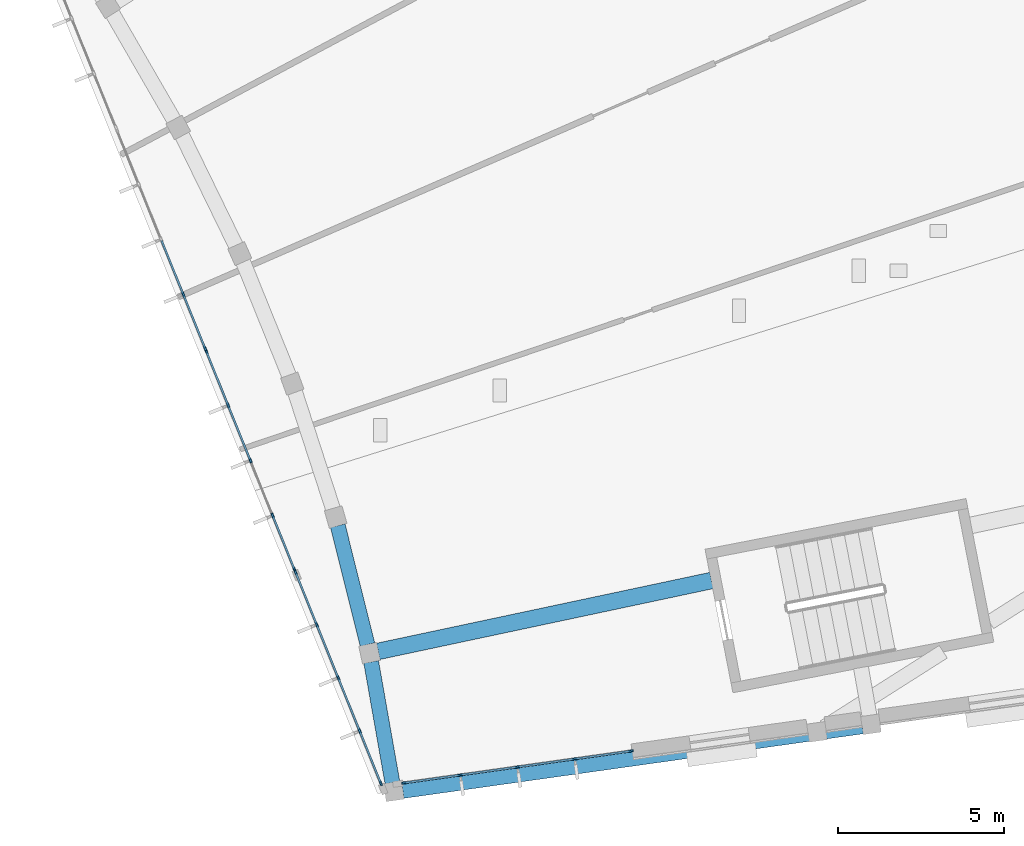
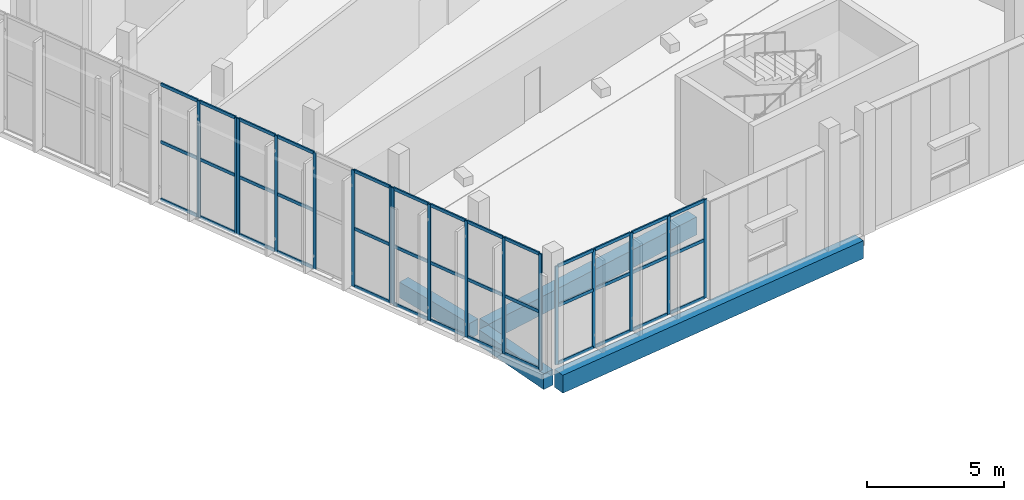
# One storey, part 17 of 87: 56 members, 4 beams, 4 elements without a shape of their own.
"""IFC4 building model written with IfcOpenShell, lengths in metres."""

import ifcopenshell
import ifcopenshell.guid

model = None  # the IFC model being written
_history = None  # IfcOwnerHistory: only IFC2X3 demands one
_inside = {}  # id of a spatial element -> (the spatial element, [elements in it])
_under = {}  # id of a project, library or spatial element -> (it, [spatial elements below it])
_declared = {}  # id of a project -> (the project, [libraries it declares])
_typed = {}  # id of a type object -> (the type object, [elements of that type])
_made_of = {}  # id of a material, layer set ... -> (it, [elements and type objects made of it])


def new_model(schema):
    """Start an empty IFC model of exactly this schema.

    Asked for "IFC4X3", IfcOpenShell would pick the latest addendum, in which some entities
    have other attributes; the version numbers below select the first issue.
    IFC2X3 requires an IfcOwnerHistory on every rooted entity: one is made here for all.
    """
    global model, _history
    if schema == "IFC4X3":
        model = ifcopenshell.file(schema_version=(4, 3, 0, 0))
    else:
        model = ifcopenshell.file(schema=schema)
    _inside.clear()
    _under.clear()
    _declared.clear()
    _typed.clear()
    _made_of.clear()
    _history = None
    if model.schema == "IFC2X3":
        org = make("IfcOrganization", Name="unknown")
        user = make(
            "IfcPersonAndOrganization",
            ThePerson=make("IfcPerson", FamilyName="unknown"),
            TheOrganization=org,
        )
        app = make(
            "IfcApplication",
            ApplicationDeveloper=org,
            Version="unknown",
            ApplicationFullName="unknown",
            ApplicationIdentifier="unknown",
        )
        _history = make(
            "IfcOwnerHistory",
            OwningUser=user,
            OwningApplication=app,
            ChangeAction="ADDED",
            CreationDate=0,
        )
    return model


def make(cls, **values):
    """One entity of the class cls with the attributes given. An attribute that is None is left unset."""
    return model.create_entity(
        cls, **{name: value for name, value in values.items() if value is not None}
    )


def rooted(cls, **values):
    """An entity with a GlobalId (a new one), such as an element, a storey or a relation."""
    return make(cls, GlobalId=ifcopenshell.guid.new(), OwnerHistory=_history, **values)


def si_unit(unit_type, name, prefix=None):
    """IfcSIUnit, for example si_unit("LENGTHUNIT", "METRE", prefix="MILLI")."""
    return make("IfcSIUnit", UnitType=unit_type, Prefix=prefix, Name=name)


def assignment(units):
    """IfcUnitAssignment: the units of a project."""
    return None if units is None else make("IfcUnitAssignment", Units=units)


def point(xyz):
    """IfcCartesianPoint."""
    return None if xyz is None else make("IfcCartesianPoint", Coordinates=xyz)


def direction(xyz):
    """IfcDirection."""
    return None if xyz is None else make("IfcDirection", DirectionRatios=xyz)


def frame(location, z_axis=None, x_axis=None):
    """IfcAxis2Placement3D, a coordinate frame: its origin and axes. An axis left out is left unset."""
    return make(
        "IfcAxis2Placement3D",
        Location=point(location),
        Axis=direction(z_axis),
        RefDirection=direction(x_axis),
    )


def frame_2d(location, x_axis=None):
    """IfcAxis2Placement2D, a coordinate frame in the plane: its origin and x axis."""
    return make(
        "IfcAxis2Placement2D", Location=point(location), RefDirection=direction(x_axis)
    )


def origin():
    """The frame at (0, 0, 0) with its axes left unset."""
    return frame((0.0, 0.0, 0.0))


def origin_2d():
    """The frame at (0, 0) in the plane with its x axis left unset."""
    return frame_2d((0.0, 0.0))


def place(relative_to, where):
    """IfcLocalPlacement: puts the frame where relative to a parent placement (None: the world)."""
    return make(
        "IfcLocalPlacement", PlacementRelTo=relative_to, RelativePlacement=where
    )


def context(
    kind, dimensions, precision=None, world=None, true_north=None, identifier=None
):
    """IfcGeometricRepresentationContext, for example the 3D "Model" context."""
    return make(
        "IfcGeometricRepresentationContext",
        ContextIdentifier=identifier,
        ContextType=kind,
        CoordinateSpaceDimension=dimensions,
        Precision=precision,
        WorldCoordinateSystem=world,
        TrueNorth=true_north,
    )


def subcontext(parent, identifier, kind, view, scale=None):
    """IfcGeometricRepresentationSubContext, for example "Body" below "Model"."""
    return make(
        "IfcGeometricRepresentationSubContext",
        ContextIdentifier=identifier,
        ContextType=kind,
        ParentContext=parent,
        TargetScale=scale,
        TargetView=view,
    )


def project(units=None, contexts=None):
    """IfcProject with its units and contexts."""
    return rooted(
        "IfcProject",
        Name="project",
        RepresentationContexts=contexts,
        UnitsInContext=assignment(units),
    )


def spatial(cls, under=None, at=None, **own):
    """A site, building, storey or space (cls), placed at a placement, below another one or the project."""
    s = rooted(cls, ObjectPlacement=at, **own)
    if under is not None:
        _under.setdefault(under.id(), (under, []))[1].append(s)
    return s


def profile(cls, at=None, kind="AREA", **sizes):
    """A parametric profile (cls). Its sizes go by their IFC names, for example OverallWidth=200.0."""
    return make(cls, ProfileType=kind, Position=at, **sizes)


def rectangle(**sizes):
    """IfcRectangleProfileDef."""
    return profile("IfcRectangleProfileDef", **sizes)


def extrude(swept, where, along, depth):
    """IfcExtrudedAreaSolid: the profile swept, set in the frame where, extruded along a direction by depth."""
    return make(
        "IfcExtrudedAreaSolid",
        SweptArea=swept,
        Position=where,
        ExtrudedDirection=direction(along),
        Depth=depth,
    )


def shape(context_of_items, identifier, shape_type, items):
    """IfcShapeRepresentation: the items that make up one representation, for example the "Body"."""
    return make(
        "IfcShapeRepresentation",
        ContextOfItems=context_of_items,
        RepresentationIdentifier=identifier,
        RepresentationType=shape_type,
        Items=items,
    )


def material(Name=None, Category=None):
    """IfcMaterial."""
    return make("IfcMaterial", Name=Name, Category=Category)


def layer(
    of_material, thickness, ventilated=None, Name=None, Category=None, Priority=None
):
    """IfcMaterialLayer: one layer of a wall or slab, of a material (None: an air gap)."""
    return make(
        "IfcMaterialLayer",
        Material=of_material,
        LayerThickness=thickness,
        IsVentilated=ventilated,
        Name=Name,
        Category=Category,
        Priority=Priority,
    )


def layer_set(layers, Name=None):
    """IfcMaterialLayerSet."""
    return make("IfcMaterialLayerSet", MaterialLayers=layers, LayerSetName=Name)


def material_profile(
    of_material, cross_section, Name=None, Category=None, Priority=None
):
    """IfcMaterialProfile: a cross section and its material."""
    return make(
        "IfcMaterialProfile",
        Name=Name,
        Material=of_material,
        Profile=cross_section,
        Priority=Priority,
        Category=Category,
    )


def profile_set(profiles, Name=None, composite=None):
    """IfcMaterialProfileSet."""
    return make(
        "IfcMaterialProfileSet",
        Name=Name,
        MaterialProfiles=profiles,
        CompositeProfile=composite,
    )


def made_of(thing, what):
    """Note that an element or type object is made of a material, layer set ...; save() writes the relation."""
    if what is not None:
        _made_of.setdefault(what.id(), (what, []))[1].append(thing)
    return thing


def type_object(cls, material=None, **own):
    """A type object (cls), such as IfcWallType, which elements share."""
    return made_of(rooted(cls, **own), material)


def element(
    cls,
    number,
    at=None,
    inside=None,
    cuts=None,
    type_object=None,
    material=None,
    context=None,
    identifier="Body",
    shape_type=None,
    held_by="IfcProductDefinitionShape",
    body=None,
    shapes=None,
    **own,
):
    """One element of the class cls, such as IfcWall. Its Tag is "e" and its number.

    at: its placement. inside: the storey or other place that contains it. cuts: it is an
    opening in that element (IfcRelVoidsElement). A single representation is given by context,
    identifier, shape_type and body (its items); several are given by shapes. held_by: the class
    of the entity that holds the representations. save() writes the other relations.
    """
    e = rooted(cls, Tag="e%d" % number, ObjectPlacement=at, **own)
    if body is not None:
        shapes = [shape(context, identifier, shape_type, body)]
    if shapes is not None:
        e.Representation = make(held_by, Representations=shapes)
    if inside is not None:
        _inside.setdefault(inside.id(), (inside, []))[1].append(e)
    if cuts is not None:
        rooted(
            "IfcRelVoidsElement", RelatingBuildingElement=cuts, RelatedOpeningElement=e
        )
    if type_object is not None:
        _typed.setdefault(type_object.id(), (type_object, []))[1].append(e)
    return made_of(e, material)


def aggregate(whole, parts):
    """IfcRelAggregates: a whole, such as a stair, and the parts it consists of."""
    return rooted("IfcRelAggregates", RelatingObject=whole, RelatedObjects=parts)


def save(model, path):
    """Write the relations noted so far, then the file.

    IfcRelAggregates (storeys below a building ...), IfcRelContainedInSpatialStructure (elements
    in a storey), IfcRelDefinesByType, IfcRelAssociatesMaterial and IfcRelDeclares: one each for
    every whole, place, type object, material and project.
    """
    for whole, parts in _under.values():
        aggregate(whole, parts)
    for where, things in _inside.values():
        rooted(
            "IfcRelContainedInSpatialStructure",
            RelatedElements=things,
            RelatingStructure=where,
        )
    for kind, things in _typed.values():
        rooted("IfcRelDefinesByType", RelatedObjects=things, RelatingType=kind)
    for what, things in _made_of.values():
        rooted("IfcRelAssociatesMaterial", RelatedObjects=things, RelatingMaterial=what)
    for by, libraries in _declared.values():
        rooted("IfcRelDeclares", RelatingContext=by, RelatedDefinitions=libraries)
    model.write(path)


model = new_model("IFC4")

# Units and contexts
model_context = context("Model", 3, precision=1e-05, world=origin(), true_north=direction((0.0, 1.0)))
body_context = subcontext(model_context, "Body", "Model", "MODEL_VIEW")
ifc_project = project(units=[si_unit("LENGTHUNIT", "METRE"), si_unit("AREAUNIT", "SQUARE_METRE"), si_unit("VOLUMEUNIT", "CUBIC_METRE"), si_unit("PLANEANGLEUNIT", "RADIAN"), si_unit("MASSUNIT", "GRAM", prefix="KILO")], contexts=[model_context])

# Site, building, storey
site_placement = place(None, origin())
site = spatial("IfcSite", under=ifc_project, at=site_placement, CompositionType="ELEMENT")
building_placement = place(site_placement, origin())
building = spatial("IfcBuilding", under=site, at=building_placement, Name="Lunette Opera House", CompositionType="ELEMENT")
storey_placement = place(building_placement, frame((0.0, 0.0, 11.5)))
storey = spatial("IfcBuildingStorey", under=building, at=storey_placement, Name="L02", CompositionType="ELEMENT", Elevation=11.5)

# Curtain wall, members
ifc_material_1 = material(Name="Aluminium", Category="aluminium")
ifc_layer = layer(ifc_material_1, 0.139892578125)
ifc_layer_set = layer_set([ifc_layer], Name="Aluminium")
curtain_wall_type = type_object("IfcCurtainWallType", Name="STUDIO CURTAIN WALL", PredefinedType="NOTDEFINED", material=ifc_layer_set)
curtain_wall_1_placement = place(storey_placement, origin())
curtain_wall_1 = element("IfcCurtainWall", 1, at=curtain_wall_1_placement, inside=storey, type_object=curtain_wall_type, Name="Studio Curtain Wall F02 L02", PredefinedType="NOTDEFINED")
ifc_material_2 = material(Name="Aluminium", Category="aluminium")
ifc_material_profile_1 = material_profile(ifc_material_2, rectangle(XDim=0.06005859375, YDim=0.139892578125, at=origin_2d()), Name="MULLION 60 X 140")
ifc_profile_set_1 = profile_set([ifc_material_profile_1], Name="Aluminium")
member_type_1 = type_object("IfcMemberType", Name="MULLION 60 X 140", PredefinedType="MULLION", material=ifc_profile_set_1)
member_1_placement = place(storey_placement, frame((149.57177734375, 23.37646484375, 0.0), z_axis=(0.0, 0.0, 1.0), x_axis=(0.927187634441, 0.374597237762, 0.0)))
member_1 = element("IfcMember", 2, at=member_1_placement, type_object=member_type_1, Name="SB-X2014 mullion 4", PredefinedType="MULLION", context=body_context, shape_type="SweptSolid", body=[
    extrude(rectangle(XDim=0.06005859375, YDim=0.139892578125, at=origin_2d()), origin(), (0.0, 0.0, 1.0), 5.199951171875),
])
member_2_placement = place(storey_placement, frame((150.229736328125, 21.747802734375, 0.0), z_axis=(0.0, 0.0, 1.0), x_axis=(0.927187634441, 0.374597237762, 0.0)))
member_2 = element("IfcMember", 3, at=member_2_placement, type_object=member_type_1, Name="SB-X2014 mullion 5", PredefinedType="MULLION", context=body_context, shape_type="SweptSolid", body=[
    extrude(rectangle(XDim=0.06005859375, YDim=0.139892578125, at=origin_2d()), origin(), (0.0, 0.0, 1.0), 5.199951171875),
])

curtain_wall_2_placement = place(storey_placement, origin())
curtain_wall_2 = element("IfcCurtainWall", 4, at=curtain_wall_2_placement, inside=storey, type_object=curtain_wall_type, Name="Studio Curtain Wall F03 L02", PredefinedType="NOTDEFINED")
member_3_placement = place(storey_placement, frame((150.26318359375, 21.664306640625, 0.0), z_axis=(0.0, 0.0, 1.0), x_axis=(0.927167994967, 0.37464584491, 0.0)))
member_3 = element("IfcMember", 5, at=member_3_placement, type_object=member_type_1, Name="SB-X2015 mullion 1", PredefinedType="MULLION", context=body_context, shape_type="SweptSolid", body=[
    extrude(rectangle(XDim=0.06005859375, YDim=0.139892578125, at=origin_2d()), origin(), (0.0, 0.0, 1.0), 5.199951171875),
])
member_4_placement = place(storey_placement, frame((150.921142578125, 20.03564453125, 0.0), z_axis=(0.0, 0.0, 1.0), x_axis=(0.927167994967, 0.37464584491, 0.0)))
member_4 = element("IfcMember", 6, at=member_4_placement, type_object=member_type_1, Name="SB-X2015 mullion 2", PredefinedType="MULLION", context=body_context, shape_type="SweptSolid", body=[
    extrude(rectangle(XDim=0.06005859375, YDim=0.139892578125, at=origin_2d()), origin(), (0.0, 0.0, 1.0), 5.199951171875),
])
member_5_placement = place(storey_placement, frame((151.590576171875, 18.37939453125, 0.0), z_axis=(0.0, 0.0, 1.0), x_axis=(0.927167994967, 0.37464584491, 0.0)))
member_5 = element("IfcMember", 7, at=member_5_placement, type_object=member_type_1, Name="SB-X2015 mullion 3", PredefinedType="MULLION", context=body_context, shape_type="SweptSolid", body=[
    extrude(rectangle(XDim=0.06005859375, YDim=0.139892578125, at=origin_2d()), origin(), (0.0, 0.0, 1.0), 5.199951171875),
])
member_6_placement = place(storey_placement, frame((152.259765625, 16.72314453125, 0.0), z_axis=(0.0, 0.0, 1.0), x_axis=(0.927167994967, 0.37464584491, 0.0)))
member_6 = element("IfcMember", 8, at=member_6_placement, type_object=member_type_1, Name="SB-X2015 mullion 4", PredefinedType="MULLION", context=body_context, shape_type="SweptSolid", body=[
    extrude(rectangle(XDim=0.06005859375, YDim=0.139892578125, at=origin_2d()), origin(), (0.0, 0.0, 1.0), 5.199951171875),
])
member_7_placement = place(storey_placement, frame((152.917724609375, 15.0947265625, 0.0), z_axis=(0.0, 0.0, 1.0), x_axis=(0.927167994967, 0.37464584491, 0.0)))
member_7 = element("IfcMember", 9, at=member_7_placement, type_object=member_type_1, Name="SB-X2015 mullion 5", PredefinedType="MULLION", context=body_context, shape_type="SweptSolid", body=[
    extrude(rectangle(XDim=0.06005859375, YDim=0.139892578125, at=origin_2d()), origin(), (0.0, 0.0, 1.0), 5.199951171875),
])

curtain_wall_3_placement = place(storey_placement, origin())
curtain_wall_3 = element("IfcCurtainWall", 10, at=curtain_wall_3_placement, inside=storey, type_object=curtain_wall_type, Name="Studio Curtain Wall F04 L02", PredefinedType="NOTDEFINED")
member_8_placement = place(storey_placement, frame((152.951171875, 15.01123046875, 0.0), z_axis=(0.0, 0.0, 1.0), x_axis=(0.927182844849, 0.374609092545, 0.0)))
member_8 = element("IfcMember", 11, at=member_8_placement, type_object=member_type_1, Name="SB-X2016 mullion 1", PredefinedType="MULLION", context=body_context, shape_type="SweptSolid", body=[
    extrude(rectangle(XDim=0.06005859375, YDim=0.139892578125, at=origin_2d()), origin(), (0.0, 0.0, 1.0), 5.199951171875),
])
member_9_placement = place(storey_placement, frame((153.586669921875, 13.438232421875, 0.0), z_axis=(0.0, 0.0, 1.0), x_axis=(0.927182844849, 0.374609092545, 0.0)))
member_9 = element("IfcMember", 12, at=member_9_placement, type_object=member_type_1, Name="SB-X2016 mullion 2", PredefinedType="MULLION", context=body_context, shape_type="SweptSolid", body=[
    extrude(rectangle(XDim=0.06005859375, YDim=0.139892578125, at=origin_2d()), origin(), (0.0, 0.0, 1.0), 5.199951171875),
])
member_10_placement = place(storey_placement, frame((154.2333984375, 11.83740234375, 0.0), z_axis=(0.0, 0.0, 1.0), x_axis=(0.927182844849, 0.374609092545, 0.0)))
member_10 = element("IfcMember", 13, at=member_10_placement, type_object=member_type_1, Name="SB-X2016 mullion 3", PredefinedType="MULLION", context=body_context, shape_type="SweptSolid", body=[
    extrude(rectangle(XDim=0.06005859375, YDim=0.139892578125, at=origin_2d()), origin(), (0.0, 0.0, 1.0), 5.199951171875),
])
member_11_placement = place(storey_placement, frame((154.88037109375, 10.23681640625, 0.0), z_axis=(0.0, 0.0, 1.0), x_axis=(0.927182844849, 0.374609092545, 0.0)))
member_11 = element("IfcMember", 14, at=member_11_placement, type_object=member_type_1, Name="SB-X2016 mullion 4", PredefinedType="MULLION", context=body_context, shape_type="SweptSolid", body=[
    extrude(rectangle(XDim=0.06005859375, YDim=0.139892578125, at=origin_2d()), origin(), (0.0, 0.0, 1.0), 5.199951171875),
])
member_12_placement = place(storey_placement, frame((155.515869140625, 8.663818359375, 0.0), z_axis=(0.0, 0.0, 1.0), x_axis=(0.927182844849, 0.374609092545, 0.0)))
member_12 = element("IfcMember", 15, at=member_12_placement, type_object=member_type_1, Name="SB-X2016 mullion 5", PredefinedType="MULLION", context=body_context, shape_type="SweptSolid", body=[
    extrude(rectangle(XDim=0.06005859375, YDim=0.139892578125, at=origin_2d()), origin(), (0.0, 0.0, 1.0), 5.199951171875),
])

curtain_wall_4_placement = place(storey_placement, origin())
curtain_wall_4 = element("IfcCurtainWall", 16, at=curtain_wall_4_placement, inside=storey, type_object=curtain_wall_type, Name="Studio Curtain Wall F05 L02", PredefinedType="NOTDEFINED")
member_13_placement = place(storey_placement, frame((156.213623046875, 8.674072265625, 0.0), z_axis=(0.0, 0.0, 1.0), x_axis=(-0.139208606221, 0.990263078154, 0.0)))
member_13 = element("IfcMember", 17, at=member_13_placement, type_object=member_type_1, Name="SB-X2017 mullion 1", PredefinedType="MULLION", context=body_context, shape_type="SweptSolid", body=[
    extrude(rectangle(XDim=0.06005859375, YDim=0.139892578125, at=origin_2d()), origin(), (0.0, 0.0, 1.0), 4.39990234375),
])
member_14_placement = place(storey_placement, frame((157.9072265625, 8.912353515625, 0.0), z_axis=(0.0, 0.0, 1.0), x_axis=(-0.139208606221, 0.990263078154, 0.0)))
member_14 = element("IfcMember", 18, at=member_14_placement, type_object=member_type_1, Name="SB-X2017 mullion 2", PredefinedType="MULLION", context=body_context, shape_type="SweptSolid", body=[
    extrude(rectangle(XDim=0.06005859375, YDim=0.139892578125, at=origin_2d()), origin(), (0.0, 0.0, 1.0), 4.39990234375),
])
member_15_placement = place(storey_placement, frame((159.630615234375, 9.154541015625, 0.0), z_axis=(0.0, 0.0, 1.0), x_axis=(-0.139208606221, 0.990263078154, 0.0)))
member_15 = element("IfcMember", 19, at=member_15_placement, type_object=member_type_1, Name="SB-X2017 mullion 3", PredefinedType="MULLION", context=body_context, shape_type="SweptSolid", body=[
    extrude(rectangle(XDim=0.06005859375, YDim=0.139892578125, at=origin_2d()), origin(), (0.0, 0.0, 1.0), 4.39990234375),
])
member_16_placement = place(storey_placement, frame((161.353759765625, 9.396728515625, 0.0), z_axis=(0.0, 0.0, 1.0), x_axis=(-0.139208606221, 0.990263078154, 0.0)))
member_16 = element("IfcMember", 20, at=member_16_placement, type_object=member_type_1, Name="SB-X2017 mullion 4", PredefinedType="MULLION", context=body_context, shape_type="SweptSolid", body=[
    extrude(rectangle(XDim=0.06005859375, YDim=0.139892578125, at=origin_2d()), origin(), (0.0, 0.0, 1.0), 4.39990234375),
])
member_17_placement = place(storey_placement, frame((163.04736328125, 9.634765625, 0.0), z_axis=(0.0, 0.0, 1.0), x_axis=(-0.139208606221, 0.990263078154, 0.0)))
member_17 = element("IfcMember", 21, at=member_17_placement, type_object=member_type_1, Name="SB-X2017 mullion 5", PredefinedType="MULLION", context=body_context, shape_type="SweptSolid", body=[
    extrude(rectangle(XDim=0.06005859375, YDim=0.139892578125, at=origin_2d()), origin(), (0.0, 0.0, 1.0), 4.39990234375),
])

# Beams
ifc_material_3 = material(Name="Concrete C35/45", Category="concrete")
ifc_material_profile_2 = material_profile(ifc_material_3, rectangle(XDim=0.449951171875, YDim=0.699951171875, at=origin_2d()), Name="RC BEAM 450X700")
ifc_profile_set_2 = profile_set([ifc_material_profile_2], Name="Concrete C35/45")
beam_type_1 = type_object("IfcBeamType", Name="RC BEAM 450X700", PredefinedType="BEAM", material=ifc_profile_set_2)
beam_1_placement = place(storey_placement, frame((154.219970703125, 16.4189453125, -0.570068359375), z_axis=(0.242100042961, -0.970251291779, 0.0), x_axis=(0.970251291779, 0.242100042961, 0.0)))
element("IfcBeam", 22, at=beam_1_placement, inside=storey, type_object=beam_type_1, Name="beam-SB-L02-L02-RG05", PredefinedType="BEAM", context=body_context, shape_type="SweptSolid", body=[
    extrude(rectangle(XDim=0.449951171875, YDim=0.699951171875, at=origin_2d()), origin(), (0.0, 0.0, 1.0), 3.69287109375),
])
beam_2_placement = place(storey_placement, frame((155.22412109375, 12.318115234375, -0.570068359375), z_axis=(0.173525123343, -0.984829442883, 0.0), x_axis=(0.984829442883, 0.173525123343, 0.0)))
element("IfcBeam", 23, at=beam_2_placement, inside=storey, type_object=beam_type_1, Name="beam-SB-L02-L02-RG06", PredefinedType="BEAM", context=body_context, shape_type="SweptSolid", body=[
    extrude(rectangle(XDim=0.449951171875, YDim=0.699951171875, at=origin_2d()), origin(), (0.0, 0.0, 1.0), 3.693115234375),
])
ifc_material_4 = material(Name="Concrete C35/45", Category="concrete")
ifc_material_profile_3 = material_profile(ifc_material_4, rectangle(XDim=0.5, YDim=0.800048828125, at=origin_2d()), Name="RC BEAM 500X800")
ifc_profile_set_3 = profile_set([ifc_material_profile_3], Name="Concrete C35/45")
beam_type_2 = type_object("IfcBeamType", Name="RC BEAM 500X800", PredefinedType="BEAM", material=ifc_profile_set_3)
beam_3_placement = place(storey_placement, frame((155.43701171875, 12.634033203125, -0.6201171875), z_axis=(0.978153224156, 0.207885232936, 0.0), x_axis=(-0.207885232936, 0.978153224156, 0.0)))
element("IfcBeam", 24, at=beam_3_placement, inside=storey, type_object=beam_type_2, Name="beam-SB-L02-L02-RB06", PredefinedType="BEAM", context=body_context, shape_type="SweptSolid", body=[
    extrude(rectangle(XDim=0.5, YDim=0.800048828125, at=origin_2d()), origin(), (0.0, 0.0, 1.0), 10.256103515625),
])
beam_4_placement = place(storey_placement, frame((156.174072265625, 8.45703125, -0.6201171875), z_axis=(0.990271936144, 0.139145580185, 0.0), x_axis=(-0.139145580185, 0.990271936144, 0.0)))
element("IfcBeam", 25, at=beam_4_placement, inside=storey, type_object=beam_type_2, Name="beam-SB-L02-L02-RB07", PredefinedType="BEAM", context=body_context, shape_type="SweptSolid", body=[
    extrude(rectangle(XDim=0.5, YDim=0.800048828125, at=origin_2d()), origin(), (0.0, 0.0, 1.0), 13.969970703125),
])

# Member
ifc_material_5 = material(Name="Aluminium", Category="aluminium")
ifc_material_profile_4 = material_profile(ifc_material_5, rectangle(XDim=0.06005859375, YDim=0.139892578125, at=origin_2d()), Name="TRANSOM 60 X 140")
ifc_profile_set_4 = profile_set([ifc_material_profile_4], Name="Aluminium")
member_type_2 = type_object("IfcMemberType", Name="TRANSOM 60 X 140", PredefinedType="USERDEFINED", material=ifc_profile_set_4)
member_18_placement = place(storey_placement, frame((148.913818359375, 25.005126953125, 0.030029296875), z_axis=(0.374582285456, -0.927193675249, 0.0), x_axis=(0.927193675249, 0.374582285456, 0.0)))
member_18 = element("IfcMember", 26, at=member_18_placement, type_object=member_type_2, Name="SB-X2014 transom 3.1", ObjectType="TRANSOM", PredefinedType="USERDEFINED", context=body_context, shape_type="SweptSolid", body=[
    extrude(rectangle(XDim=0.06005859375, YDim=0.139892578125, at=origin_2d()), origin(), (0.0, 0.0, 1.0), 1.7265625),
])

member_19_placement = place(storey_placement, frame((148.913818359375, 25.005126953125, 2.60009765625), z_axis=(0.374582285456, -0.927193675249, 0.0), x_axis=(0.927193675249, 0.374582285456, 0.0)))
member_19 = element("IfcMember", 27, at=member_19_placement, type_object=member_type_2, Name="SB-X2014 transom 3.2", ObjectType="TRANSOM", PredefinedType="USERDEFINED", context=body_context, shape_type="SweptSolid", body=[
    extrude(rectangle(XDim=0.06005859375, YDim=0.139892578125, at=origin_2d()), origin(), (0.0, 0.0, 1.0), 1.7265625),
])

member_20_placement = place(storey_placement, frame((148.913818359375, 25.005126953125, 5.169921875), z_axis=(0.374582285456, -0.927193675249, 0.0), x_axis=(0.927193675249, 0.374582285456, 0.0)))
member_20 = element("IfcMember", 28, at=member_20_placement, type_object=member_type_2, Name="SB-X2014 transom 3.3", ObjectType="TRANSOM", PredefinedType="USERDEFINED", context=body_context, shape_type="SweptSolid", body=[
    extrude(rectangle(XDim=0.06005859375, YDim=0.139892578125, at=origin_2d()), origin(), (0.0, 0.0, 1.0), 1.7265625),
])

member_21_placement = place(storey_placement, frame((149.5830078125, 23.3486328125, 0.030029296875), z_axis=(0.374589153254, -0.927190900659, 0.0), x_axis=(0.927190900659, 0.374589153254, 0.0)))
member_21 = element("IfcMember", 29, at=member_21_placement, type_object=member_type_2, Name="SB-X2014 transom 4.1", ObjectType="TRANSOM", PredefinedType="USERDEFINED", context=body_context, shape_type="SweptSolid", body=[
    extrude(rectangle(XDim=0.06005859375, YDim=0.139892578125, at=origin_2d()), origin(), (0.0, 0.0, 1.0), 1.696533203125),
])

member_22_placement = place(storey_placement, frame((149.5830078125, 23.3486328125, 2.60009765625), z_axis=(0.374589153254, -0.927190900659, 0.0), x_axis=(0.927190900659, 0.374589153254, 0.0)))
member_22 = element("IfcMember", 30, at=member_22_placement, type_object=member_type_2, Name="SB-X2014 transom 4.2", ObjectType="TRANSOM", PredefinedType="USERDEFINED", context=body_context, shape_type="SweptSolid", body=[
    extrude(rectangle(XDim=0.06005859375, YDim=0.139892578125, at=origin_2d()), origin(), (0.0, 0.0, 1.0), 1.696533203125),
])

member_23_placement = place(storey_placement, frame((149.5830078125, 23.3486328125, 5.169921875), z_axis=(0.374589153254, -0.927190900659, 0.0), x_axis=(0.927190900659, 0.374589153254, 0.0)))
member_23 = element("IfcMember", 31, at=member_23_placement, type_object=member_type_2, Name="SB-X2014 transom 4.3", ObjectType="TRANSOM", PredefinedType="USERDEFINED", context=body_context, shape_type="SweptSolid", body=[
    extrude(rectangle(XDim=0.06005859375, YDim=0.139892578125, at=origin_2d()), origin(), (0.0, 0.0, 1.0), 1.696533203125),
])

aggregate(curtain_wall_1, [member_1, member_2, member_18, member_19, member_20, member_21, member_22, member_23])

member_24_placement = place(storey_placement, frame((150.2744140625, 21.636474609375, 0.030029296875), z_axis=(0.374589153254, -0.927190900659, 0.0), x_axis=(0.927190900659, 0.374589153254, 0.0)))
member_24 = element("IfcMember", 32, at=member_24_placement, type_object=member_type_2, Name="SB-X2015 transom 1.1", ObjectType="TRANSOM", PredefinedType="USERDEFINED", context=body_context, shape_type="SweptSolid", body=[
    extrude(rectangle(XDim=0.06005859375, YDim=0.139892578125, at=origin_2d()), origin(), (0.0, 0.0, 1.0), 1.696533203125),
])

member_25_placement = place(storey_placement, frame((150.2744140625, 21.636474609375, 2.60009765625), z_axis=(0.374589153254, -0.927190900659, 0.0), x_axis=(0.927190900659, 0.374589153254, 0.0)))
member_25 = element("IfcMember", 33, at=member_25_placement, type_object=member_type_2, Name="SB-X2015 transom 1.2", ObjectType="TRANSOM", PredefinedType="USERDEFINED", context=body_context, shape_type="SweptSolid", body=[
    extrude(rectangle(XDim=0.06005859375, YDim=0.139892578125, at=origin_2d()), origin(), (0.0, 0.0, 1.0), 1.696533203125),
])

member_26_placement = place(storey_placement, frame((150.2744140625, 21.636474609375, 5.169921875), z_axis=(0.374589153254, -0.927190900659, 0.0), x_axis=(0.927190900659, 0.374589153254, 0.0)))
member_26 = element("IfcMember", 34, at=member_26_placement, type_object=member_type_2, Name="SB-X2015 transom 1.3", ObjectType="TRANSOM", PredefinedType="USERDEFINED", context=body_context, shape_type="SweptSolid", body=[
    extrude(rectangle(XDim=0.06005859375, YDim=0.139892578125, at=origin_2d()), origin(), (0.0, 0.0, 1.0), 1.696533203125),
])

member_27_placement = place(storey_placement, frame((150.932373046875, 20.008056640625, 0.030029296875), z_axis=(0.374703840138, -0.927144558408, 0.0), x_axis=(0.927144558408, 0.374703840138, 0.0)))
member_27 = element("IfcMember", 35, at=member_27_placement, type_object=member_type_2, Name="SB-X2015 transom 2.1", ObjectType="TRANSOM", PredefinedType="USERDEFINED", context=body_context, shape_type="SweptSolid", body=[
    extrude(rectangle(XDim=0.06005859375, YDim=0.139892578125, at=origin_2d()), origin(), (0.0, 0.0, 1.0), 1.7265625),
])

member_28_placement = place(storey_placement, frame((150.932373046875, 20.008056640625, 2.60009765625), z_axis=(0.374703840138, -0.927144558408, 0.0), x_axis=(0.927144558408, 0.374703840138, 0.0)))
member_28 = element("IfcMember", 36, at=member_28_placement, type_object=member_type_2, Name="SB-X2015 transom 2.2", ObjectType="TRANSOM", PredefinedType="USERDEFINED", context=body_context, shape_type="SweptSolid", body=[
    extrude(rectangle(XDim=0.06005859375, YDim=0.139892578125, at=origin_2d()), origin(), (0.0, 0.0, 1.0), 1.7265625),
])

member_29_placement = place(storey_placement, frame((150.932373046875, 20.008056640625, 5.169921875), z_axis=(0.374703840138, -0.927144558408, 0.0), x_axis=(0.927144558408, 0.374703840138, 0.0)))
member_29 = element("IfcMember", 37, at=member_29_placement, type_object=member_type_2, Name="SB-X2015 transom 2.3", ObjectType="TRANSOM", PredefinedType="USERDEFINED", context=body_context, shape_type="SweptSolid", body=[
    extrude(rectangle(XDim=0.06005859375, YDim=0.139892578125, at=origin_2d()), origin(), (0.0, 0.0, 1.0), 1.7265625),
])

member_30_placement = place(storey_placement, frame((152.27099609375, 16.695556640625, 0.030029296875), z_axis=(0.374589153254, -0.927190900659, 0.0), x_axis=(0.927190900659, 0.374589153254, 0.0)))
member_30 = element("IfcMember", 38, at=member_30_placement, type_object=member_type_2, Name="SB-X2015 transom 4.1", ObjectType="TRANSOM", PredefinedType="USERDEFINED", context=body_context, shape_type="SweptSolid", body=[
    extrude(rectangle(XDim=0.06005859375, YDim=0.139892578125, at=origin_2d()), origin(), (0.0, 0.0, 1.0), 1.696533203125),
])

member_31_placement = place(storey_placement, frame((152.27099609375, 16.695556640625, 2.60009765625), z_axis=(0.374589153254, -0.927190900659, 0.0), x_axis=(0.927190900659, 0.374589153254, 0.0)))
member_31 = element("IfcMember", 39, at=member_31_placement, type_object=member_type_2, Name="SB-X2015 transom 4.2", ObjectType="TRANSOM", PredefinedType="USERDEFINED", context=body_context, shape_type="SweptSolid", body=[
    extrude(rectangle(XDim=0.06005859375, YDim=0.139892578125, at=origin_2d()), origin(), (0.0, 0.0, 1.0), 1.696533203125),
])

member_32_placement = place(storey_placement, frame((152.27099609375, 16.695556640625, 5.169921875), z_axis=(0.374589153254, -0.927190900659, 0.0), x_axis=(0.927190900659, 0.374589153254, 0.0)))
member_32 = element("IfcMember", 40, at=member_32_placement, type_object=member_type_2, Name="SB-X2015 transom 4.3", ObjectType="TRANSOM", PredefinedType="USERDEFINED", context=body_context, shape_type="SweptSolid", body=[
    extrude(rectangle(XDim=0.06005859375, YDim=0.139892578125, at=origin_2d()), origin(), (0.0, 0.0, 1.0), 1.696533203125),
])

aggregate(curtain_wall_2, [member_3, member_4, member_5, member_6, member_7, member_24, member_25, member_26, member_27, member_28, member_29, member_30, member_31, member_32])

member_33_placement = place(storey_placement, frame((152.96240234375, 14.9833984375, 0.030029296875), z_axis=(0.374603644492, -0.927185046004, 0.0), x_axis=(0.927185046004, 0.374603644492, 0.0)))
member_33 = element("IfcMember", 41, at=member_33_placement, type_object=member_type_2, Name="SB-X2016 transom 1.1", ObjectType="TRANSOM", PredefinedType="USERDEFINED", context=body_context, shape_type="SweptSolid", body=[
    extrude(rectangle(XDim=0.06005859375, YDim=0.139892578125, at=origin_2d()), origin(), (0.0, 0.0, 1.0), 1.636474609375),
])

member_34_placement = place(storey_placement, frame((152.96240234375, 14.9833984375, 2.60009765625), z_axis=(0.374603644492, -0.927185046004, 0.0), x_axis=(0.927185046004, 0.374603644492, 0.0)))
member_34 = element("IfcMember", 42, at=member_34_placement, type_object=member_type_2, Name="SB-X2016 transom 1.2", ObjectType="TRANSOM", PredefinedType="USERDEFINED", context=body_context, shape_type="SweptSolid", body=[
    extrude(rectangle(XDim=0.06005859375, YDim=0.139892578125, at=origin_2d()), origin(), (0.0, 0.0, 1.0), 1.636474609375),
])

member_35_placement = place(storey_placement, frame((152.96240234375, 14.9833984375, 5.169921875), z_axis=(0.374603644492, -0.927185046004, 0.0), x_axis=(0.927185046004, 0.374603644492, 0.0)))
member_35 = element("IfcMember", 43, at=member_35_placement, type_object=member_type_2, Name="SB-X2016 transom 1.3", ObjectType="TRANSOM", PredefinedType="USERDEFINED", context=body_context, shape_type="SweptSolid", body=[
    extrude(rectangle(XDim=0.06005859375, YDim=0.139892578125, at=origin_2d()), origin(), (0.0, 0.0, 1.0), 1.636474609375),
])

member_36_placement = place(storey_placement, frame((153.597900390625, 13.410400390625, 0.030029296875), z_axis=(0.374596268397, -0.927188026078, 0.0), x_axis=(0.927188026078, 0.374596268397, 0.0)))
member_36 = element("IfcMember", 44, at=member_36_placement, type_object=member_type_2, Name="SB-X2016 transom 2.1", ObjectType="TRANSOM", PredefinedType="USERDEFINED", context=body_context, shape_type="SweptSolid", body=[
    extrude(rectangle(XDim=0.06005859375, YDim=0.139892578125, at=origin_2d()), origin(), (0.0, 0.0, 1.0), 1.66650390625),
])

member_37_placement = place(storey_placement, frame((153.597900390625, 13.410400390625, 2.60009765625), z_axis=(0.374596268397, -0.927188026078, 0.0), x_axis=(0.927188026078, 0.374596268397, 0.0)))
member_37 = element("IfcMember", 45, at=member_37_placement, type_object=member_type_2, Name="SB-X2016 transom 2.2", ObjectType="TRANSOM", PredefinedType="USERDEFINED", context=body_context, shape_type="SweptSolid", body=[
    extrude(rectangle(XDim=0.06005859375, YDim=0.139892578125, at=origin_2d()), origin(), (0.0, 0.0, 1.0), 1.66650390625),
])

member_38_placement = place(storey_placement, frame((153.597900390625, 13.410400390625, 5.169921875), z_axis=(0.374596268397, -0.927188026078, 0.0), x_axis=(0.927188026078, 0.374596268397, 0.0)))
member_38 = element("IfcMember", 46, at=member_38_placement, type_object=member_type_2, Name="SB-X2016 transom 2.3", ObjectType="TRANSOM", PredefinedType="USERDEFINED", context=body_context, shape_type="SweptSolid", body=[
    extrude(rectangle(XDim=0.06005859375, YDim=0.139892578125, at=origin_2d()), origin(), (0.0, 0.0, 1.0), 1.66650390625),
])

member_39_placement = place(storey_placement, frame((154.24462890625, 11.8095703125, 0.030029296875), z_axis=(0.374647156722, -0.927167464895, 0.0), x_axis=(0.927167464895, 0.374647156722, 0.0)))
member_39 = element("IfcMember", 47, at=member_39_placement, type_object=member_type_2, Name="SB-X2016 transom 3.1", ObjectType="TRANSOM", PredefinedType="USERDEFINED", context=body_context, shape_type="SweptSolid", body=[
    extrude(rectangle(XDim=0.06005859375, YDim=0.139892578125, at=origin_2d()), origin(), (0.0, 0.0, 1.0), 1.666259765625),
])

member_40_placement = place(storey_placement, frame((154.24462890625, 11.8095703125, 2.60009765625), z_axis=(0.374647156722, -0.927167464895, 0.0), x_axis=(0.927167464895, 0.374647156722, 0.0)))
member_40 = element("IfcMember", 48, at=member_40_placement, type_object=member_type_2, Name="SB-X2016 transom 3.2", ObjectType="TRANSOM", PredefinedType="USERDEFINED", context=body_context, shape_type="SweptSolid", body=[
    extrude(rectangle(XDim=0.06005859375, YDim=0.139892578125, at=origin_2d()), origin(), (0.0, 0.0, 1.0), 1.666259765625),
])

member_41_placement = place(storey_placement, frame((154.24462890625, 11.8095703125, 5.169921875), z_axis=(0.374647156722, -0.927167464895, 0.0), x_axis=(0.927167464895, 0.374647156722, 0.0)))
member_41 = element("IfcMember", 49, at=member_41_placement, type_object=member_type_2, Name="SB-X2016 transom 3.3", ObjectType="TRANSOM", PredefinedType="USERDEFINED", context=body_context, shape_type="SweptSolid", body=[
    extrude(rectangle(XDim=0.06005859375, YDim=0.139892578125, at=origin_2d()), origin(), (0.0, 0.0, 1.0), 1.666259765625),
])

member_42_placement = place(storey_placement, frame((154.8916015625, 10.208984375, 0.030029296875), z_axis=(0.374603644492, -0.927185046004, 0.0), x_axis=(0.927185046004, 0.374603644492, 0.0)))
member_42 = element("IfcMember", 50, at=member_42_placement, type_object=member_type_2, Name="SB-X2016 transom 4.1", ObjectType="TRANSOM", PredefinedType="USERDEFINED", context=body_context, shape_type="SweptSolid", body=[
    extrude(rectangle(XDim=0.06005859375, YDim=0.139892578125, at=origin_2d()), origin(), (0.0, 0.0, 1.0), 1.636474609375),
])

member_43_placement = place(storey_placement, frame((154.8916015625, 10.208984375, 2.60009765625), z_axis=(0.374603644492, -0.927185046004, 0.0), x_axis=(0.927185046004, 0.374603644492, 0.0)))
member_43 = element("IfcMember", 51, at=member_43_placement, type_object=member_type_2, Name="SB-X2016 transom 4.2", ObjectType="TRANSOM", PredefinedType="USERDEFINED", context=body_context, shape_type="SweptSolid", body=[
    extrude(rectangle(XDim=0.06005859375, YDim=0.139892578125, at=origin_2d()), origin(), (0.0, 0.0, 1.0), 1.636474609375),
])

member_44_placement = place(storey_placement, frame((154.8916015625, 10.208984375, 5.169921875), z_axis=(0.374603644492, -0.927185046004, 0.0), x_axis=(0.927185046004, 0.374603644492, 0.0)))
member_44 = element("IfcMember", 52, at=member_44_placement, type_object=member_type_2, Name="SB-X2016 transom 4.3", ObjectType="TRANSOM", PredefinedType="USERDEFINED", context=body_context, shape_type="SweptSolid", body=[
    extrude(rectangle(XDim=0.06005859375, YDim=0.139892578125, at=origin_2d()), origin(), (0.0, 0.0, 1.0), 1.636474609375),
])

aggregate(curtain_wall_3, [member_8, member_9, member_10, member_11, member_12, member_33, member_34, member_35, member_36, member_37, member_38, member_39, member_40, member_41, member_42, member_43, member_44])

member_45_placement = place(storey_placement, frame((156.243408203125, 8.678466796875, 0.030029296875), z_axis=(0.990281110905, 0.139080269573, 0.0), x_axis=(-0.139080269573, 0.990281110905, 0.0)))
member_45 = element("IfcMember", 53, at=member_45_placement, type_object=member_type_2, Name="SB-X2017 transom 1.1", ObjectType="TRANSOM", PredefinedType="USERDEFINED", context=body_context, shape_type="SweptSolid", body=[
    extrude(rectangle(XDim=0.06005859375, YDim=0.139892578125, at=origin_2d()), origin(), (0.0, 0.0, 1.0), 1.650146484375),
])

member_46_placement = place(storey_placement, frame((156.243408203125, 8.678466796875, 2.60009765625), z_axis=(0.990281110905, 0.139080269573, 0.0), x_axis=(-0.139080269573, 0.990281110905, 0.0)))
member_46 = element("IfcMember", 54, at=member_46_placement, type_object=member_type_2, Name="SB-X2017 transom 1.2", ObjectType="TRANSOM", PredefinedType="USERDEFINED", context=body_context, shape_type="SweptSolid", body=[
    extrude(rectangle(XDim=0.06005859375, YDim=0.139892578125, at=origin_2d()), origin(), (0.0, 0.0, 1.0), 1.650146484375),
])

member_47_placement = place(storey_placement, frame((156.243408203125, 8.678466796875, 4.3701171875), z_axis=(0.990281110905, 0.139080269573, 0.0), x_axis=(-0.139080269573, 0.990281110905, 0.0)))
member_47 = element("IfcMember", 55, at=member_47_placement, type_object=member_type_2, Name="SB-X2017 transom 1.3", ObjectType="TRANSOM", PredefinedType="USERDEFINED", context=body_context, shape_type="SweptSolid", body=[
    extrude(rectangle(XDim=0.06005859375, YDim=0.139892578125, at=origin_2d()), origin(), (0.0, 0.0, 1.0), 1.650146484375),
])

member_48_placement = place(storey_placement, frame((157.93701171875, 8.91650390625, 0.030029296875), z_axis=(0.990263778482, 0.139203624327, 0.0), x_axis=(-0.139203624327, 0.990263778482, 0.0)))
member_48 = element("IfcMember", 56, at=member_48_placement, type_object=member_type_2, Name="SB-X2017 transom 2.1", ObjectType="TRANSOM", PredefinedType="USERDEFINED", context=body_context, shape_type="SweptSolid", body=[
    extrude(rectangle(XDim=0.06005859375, YDim=0.139892578125, at=origin_2d()), origin(), (0.0, 0.0, 1.0), 1.68017578125),
])

member_49_placement = place(storey_placement, frame((157.93701171875, 8.91650390625, 2.60009765625), z_axis=(0.990263778482, 0.139203624327, 0.0), x_axis=(-0.139203624327, 0.990263778482, 0.0)))
member_49 = element("IfcMember", 57, at=member_49_placement, type_object=member_type_2, Name="SB-X2017 transom 2.2", ObjectType="TRANSOM", PredefinedType="USERDEFINED", context=body_context, shape_type="SweptSolid", body=[
    extrude(rectangle(XDim=0.06005859375, YDim=0.139892578125, at=origin_2d()), origin(), (0.0, 0.0, 1.0), 1.68017578125),
])

member_50_placement = place(storey_placement, frame((157.93701171875, 8.91650390625, 4.3701171875), z_axis=(0.990263778482, 0.139203624327, 0.0), x_axis=(-0.139203624327, 0.990263778482, 0.0)))
member_50 = element("IfcMember", 58, at=member_50_placement, type_object=member_type_2, Name="SB-X2017 transom 2.3", ObjectType="TRANSOM", PredefinedType="USERDEFINED", context=body_context, shape_type="SweptSolid", body=[
    extrude(rectangle(XDim=0.06005859375, YDim=0.139892578125, at=origin_2d()), origin(), (0.0, 0.0, 1.0), 1.68017578125),
])

member_51_placement = place(storey_placement, frame((159.66015625, 9.15869140625, 0.030029296875), z_axis=(0.990263778482, 0.139203624327, 0.0), x_axis=(-0.139203624327, 0.990263778482, 0.0)))
member_51 = element("IfcMember", 59, at=member_51_placement, type_object=member_type_2, Name="SB-X2017 transom 3.1", ObjectType="TRANSOM", PredefinedType="USERDEFINED", context=body_context, shape_type="SweptSolid", body=[
    extrude(rectangle(XDim=0.06005859375, YDim=0.139892578125, at=origin_2d()), origin(), (0.0, 0.0, 1.0), 1.68017578125),
])

member_52_placement = place(storey_placement, frame((159.66015625, 9.15869140625, 2.60009765625), z_axis=(0.990263778482, 0.139203624327, 0.0), x_axis=(-0.139203624327, 0.990263778482, 0.0)))
member_52 = element("IfcMember", 60, at=member_52_placement, type_object=member_type_2, Name="SB-X2017 transom 3.2", ObjectType="TRANSOM", PredefinedType="USERDEFINED", context=body_context, shape_type="SweptSolid", body=[
    extrude(rectangle(XDim=0.06005859375, YDim=0.139892578125, at=origin_2d()), origin(), (0.0, 0.0, 1.0), 1.68017578125),
])

member_53_placement = place(storey_placement, frame((159.66015625, 9.15869140625, 4.3701171875), z_axis=(0.990263778482, 0.139203624327, 0.0), x_axis=(-0.139203624327, 0.990263778482, 0.0)))
member_53 = element("IfcMember", 61, at=member_53_placement, type_object=member_type_2, Name="SB-X2017 transom 3.3", ObjectType="TRANSOM", PredefinedType="USERDEFINED", context=body_context, shape_type="SweptSolid", body=[
    extrude(rectangle(XDim=0.06005859375, YDim=0.139892578125, at=origin_2d()), origin(), (0.0, 0.0, 1.0), 1.68017578125),
])

member_54_placement = place(storey_placement, frame((161.383544921875, 9.40087890625, 0.030029296875), z_axis=(0.990260722689, 0.139225360832, 0.0), x_axis=(-0.139225360832, 0.990260722689, 0.0)))
member_54 = element("IfcMember", 62, at=member_54_placement, type_object=member_type_2, Name="SB-X2017 transom 4.1", ObjectType="TRANSOM", PredefinedType="USERDEFINED", context=body_context, shape_type="SweptSolid", body=[
    extrude(rectangle(XDim=0.06005859375, YDim=0.139892578125, at=origin_2d()), origin(), (0.0, 0.0, 1.0), 1.650146484375),
])

member_55_placement = place(storey_placement, frame((161.383544921875, 9.40087890625, 2.60009765625), z_axis=(0.990260722689, 0.139225360832, 0.0), x_axis=(-0.139225360832, 0.990260722689, 0.0)))
member_55 = element("IfcMember", 63, at=member_55_placement, type_object=member_type_2, Name="SB-X2017 transom 4.2", ObjectType="TRANSOM", PredefinedType="USERDEFINED", context=body_context, shape_type="SweptSolid", body=[
    extrude(rectangle(XDim=0.06005859375, YDim=0.139892578125, at=origin_2d()), origin(), (0.0, 0.0, 1.0), 1.650146484375),
])

member_56_placement = place(storey_placement, frame((161.383544921875, 9.40087890625, 4.3701171875), z_axis=(0.990260722689, 0.139225360832, 0.0), x_axis=(-0.139225360832, 0.990260722689, 0.0)))
member_56 = element("IfcMember", 64, at=member_56_placement, type_object=member_type_2, Name="SB-X2017 transom 4.3", ObjectType="TRANSOM", PredefinedType="USERDEFINED", context=body_context, shape_type="SweptSolid", body=[
    extrude(rectangle(XDim=0.06005859375, YDim=0.139892578125, at=origin_2d()), origin(), (0.0, 0.0, 1.0), 1.650146484375),
])

aggregate(curtain_wall_4, [member_13, member_14, member_15, member_16, member_17, member_45, member_46, member_47, member_48, member_49, member_50, member_51, member_52, member_53, member_54, member_55, member_56])

save(model, "model.ifc")
